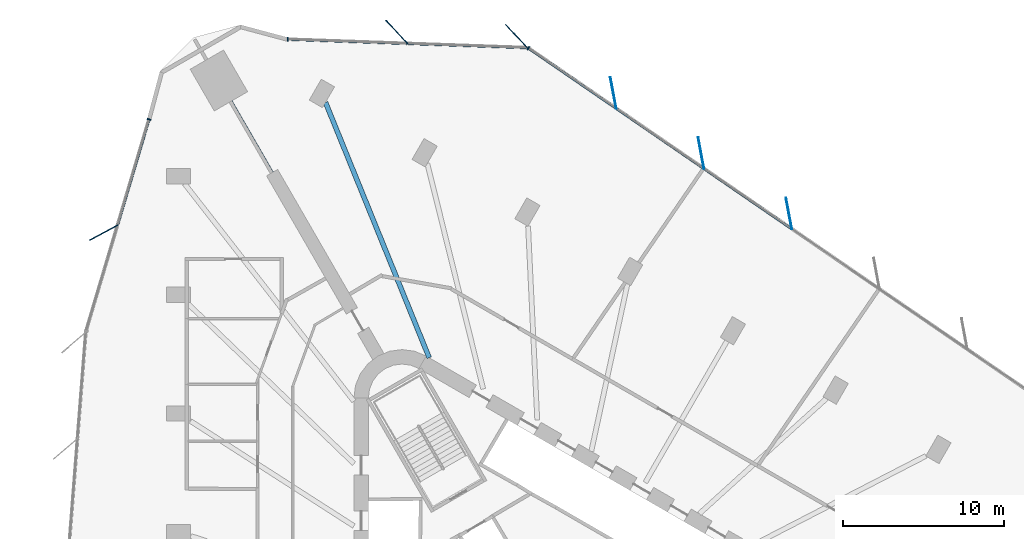
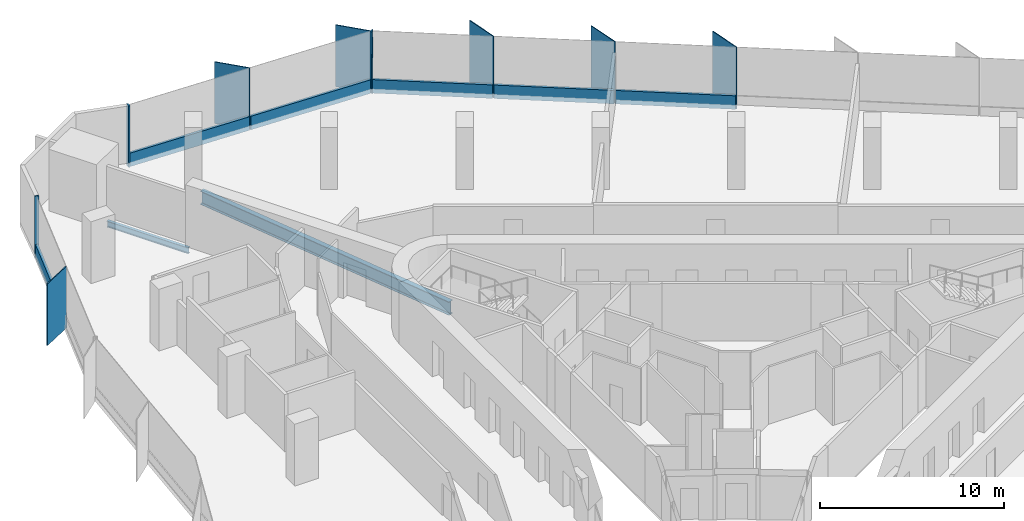
# One storey, part 7 of 15: 15 members, 2 beams, 3 elements without a shape of their own.
"""IFC4 building model written with IfcOpenShell, lengths in metres."""

import ifcopenshell
import ifcopenshell.guid

model = None  # the IFC model being written
_history = None  # IfcOwnerHistory: only IFC2X3 demands one
_inside = {}  # id of a spatial element -> (the spatial element, [elements in it])
_under = {}  # id of a project, library or spatial element -> (it, [spatial elements below it])
_declared = {}  # id of a project -> (the project, [libraries it declares])
_typed = {}  # id of a type object -> (the type object, [elements of that type])
_made_of = {}  # id of a material, layer set ... -> (it, [elements and type objects made of it])


def new_model(schema):
    """Start an empty IFC model of exactly this schema.

    Asked for "IFC4X3", IfcOpenShell would pick the latest addendum, in which some entities
    have other attributes; the version numbers below select the first issue.
    IFC2X3 requires an IfcOwnerHistory on every rooted entity: one is made here for all.
    """
    global model, _history
    if schema == "IFC4X3":
        model = ifcopenshell.file(schema_version=(4, 3, 0, 0))
    else:
        model = ifcopenshell.file(schema=schema)
    _inside.clear()
    _under.clear()
    _declared.clear()
    _typed.clear()
    _made_of.clear()
    _history = None
    if model.schema == "IFC2X3":
        org = make("IfcOrganization", Name="unknown")
        user = make(
            "IfcPersonAndOrganization",
            ThePerson=make("IfcPerson", FamilyName="unknown"),
            TheOrganization=org,
        )
        app = make(
            "IfcApplication",
            ApplicationDeveloper=org,
            Version="unknown",
            ApplicationFullName="unknown",
            ApplicationIdentifier="unknown",
        )
        _history = make(
            "IfcOwnerHistory",
            OwningUser=user,
            OwningApplication=app,
            ChangeAction="ADDED",
            CreationDate=0,
        )
    return model


def make(cls, **values):
    """One entity of the class cls with the attributes given. An attribute that is None is left unset."""
    return model.create_entity(
        cls, **{name: value for name, value in values.items() if value is not None}
    )


def rooted(cls, **values):
    """An entity with a GlobalId (a new one), such as an element, a storey or a relation."""
    return make(cls, GlobalId=ifcopenshell.guid.new(), OwnerHistory=_history, **values)


def si_unit(unit_type, name, prefix=None):
    """IfcSIUnit, for example si_unit("LENGTHUNIT", "METRE", prefix="MILLI")."""
    return make("IfcSIUnit", UnitType=unit_type, Prefix=prefix, Name=name)


def assignment(units):
    """IfcUnitAssignment: the units of a project."""
    return None if units is None else make("IfcUnitAssignment", Units=units)


def point(xyz):
    """IfcCartesianPoint."""
    return None if xyz is None else make("IfcCartesianPoint", Coordinates=xyz)


def direction(xyz):
    """IfcDirection."""
    return None if xyz is None else make("IfcDirection", DirectionRatios=xyz)


def frame(location, z_axis=None, x_axis=None):
    """IfcAxis2Placement3D, a coordinate frame: its origin and axes. An axis left out is left unset."""
    return make(
        "IfcAxis2Placement3D",
        Location=point(location),
        Axis=direction(z_axis),
        RefDirection=direction(x_axis),
    )


def frame_2d(location, x_axis=None):
    """IfcAxis2Placement2D, a coordinate frame in the plane: its origin and x axis."""
    return make(
        "IfcAxis2Placement2D", Location=point(location), RefDirection=direction(x_axis)
    )


def origin():
    """The frame at (0, 0, 0) with its axes left unset."""
    return frame((0.0, 0.0, 0.0))


def origin_2d():
    """The frame at (0, 0) in the plane with its x axis left unset."""
    return frame_2d((0.0, 0.0))


def place(relative_to, where):
    """IfcLocalPlacement: puts the frame where relative to a parent placement (None: the world)."""
    return make(
        "IfcLocalPlacement", PlacementRelTo=relative_to, RelativePlacement=where
    )


def context(
    kind, dimensions, precision=None, world=None, true_north=None, identifier=None
):
    """IfcGeometricRepresentationContext, for example the 3D "Model" context."""
    return make(
        "IfcGeometricRepresentationContext",
        ContextIdentifier=identifier,
        ContextType=kind,
        CoordinateSpaceDimension=dimensions,
        Precision=precision,
        WorldCoordinateSystem=world,
        TrueNorth=true_north,
    )


def subcontext(parent, identifier, kind, view, scale=None):
    """IfcGeometricRepresentationSubContext, for example "Body" below "Model"."""
    return make(
        "IfcGeometricRepresentationSubContext",
        ContextIdentifier=identifier,
        ContextType=kind,
        ParentContext=parent,
        TargetScale=scale,
        TargetView=view,
    )


def project(units=None, contexts=None):
    """IfcProject with its units and contexts."""
    return rooted(
        "IfcProject",
        Name="project",
        RepresentationContexts=contexts,
        UnitsInContext=assignment(units),
    )


def spatial(cls, under=None, at=None, **own):
    """A site, building, storey or space (cls), placed at a placement, below another one or the project."""
    s = rooted(cls, ObjectPlacement=at, **own)
    if under is not None:
        _under.setdefault(under.id(), (under, []))[1].append(s)
    return s


def profile(cls, at=None, kind="AREA", **sizes):
    """A parametric profile (cls). Its sizes go by their IFC names, for example OverallWidth=200.0."""
    return make(cls, ProfileType=kind, Position=at, **sizes)


def rectangle(**sizes):
    """IfcRectangleProfileDef."""
    return profile("IfcRectangleProfileDef", **sizes)


def i_section(**sizes):
    """IfcIShapeProfileDef."""
    return profile("IfcIShapeProfileDef", **sizes)


def extrude(swept, where, along, depth):
    """IfcExtrudedAreaSolid: the profile swept, set in the frame where, extruded along a direction by depth."""
    return make(
        "IfcExtrudedAreaSolid",
        SweptArea=swept,
        Position=where,
        ExtrudedDirection=direction(along),
        Depth=depth,
    )


def shape(context_of_items, identifier, shape_type, items):
    """IfcShapeRepresentation: the items that make up one representation, for example the "Body"."""
    return make(
        "IfcShapeRepresentation",
        ContextOfItems=context_of_items,
        RepresentationIdentifier=identifier,
        RepresentationType=shape_type,
        Items=items,
    )


def material(Name=None, Category=None):
    """IfcMaterial."""
    return make("IfcMaterial", Name=Name, Category=Category)


def material_profile(
    of_material, cross_section, Name=None, Category=None, Priority=None
):
    """IfcMaterialProfile: a cross section and its material."""
    return make(
        "IfcMaterialProfile",
        Name=Name,
        Material=of_material,
        Profile=cross_section,
        Priority=Priority,
        Category=Category,
    )


def profile_set(profiles, Name=None, composite=None):
    """IfcMaterialProfileSet."""
    return make(
        "IfcMaterialProfileSet",
        Name=Name,
        MaterialProfiles=profiles,
        CompositeProfile=composite,
    )


def made_of(thing, what):
    """Note that an element or type object is made of a material, layer set ...; save() writes the relation."""
    if what is not None:
        _made_of.setdefault(what.id(), (what, []))[1].append(thing)
    return thing


def type_object(cls, material=None, **own):
    """A type object (cls), such as IfcWallType, which elements share."""
    return made_of(rooted(cls, **own), material)


def element(
    cls,
    number,
    at=None,
    inside=None,
    cuts=None,
    type_object=None,
    material=None,
    context=None,
    identifier="Body",
    shape_type=None,
    held_by="IfcProductDefinitionShape",
    body=None,
    shapes=None,
    **own,
):
    """One element of the class cls, such as IfcWall. Its Tag is "e" and its number.

    at: its placement. inside: the storey or other place that contains it. cuts: it is an
    opening in that element (IfcRelVoidsElement). A single representation is given by context,
    identifier, shape_type and body (its items); several are given by shapes. held_by: the class
    of the entity that holds the representations. save() writes the other relations.
    """
    e = rooted(cls, Tag="e%d" % number, ObjectPlacement=at, **own)
    if body is not None:
        shapes = [shape(context, identifier, shape_type, body)]
    if shapes is not None:
        e.Representation = make(held_by, Representations=shapes)
    if inside is not None:
        _inside.setdefault(inside.id(), (inside, []))[1].append(e)
    if cuts is not None:
        rooted(
            "IfcRelVoidsElement", RelatingBuildingElement=cuts, RelatedOpeningElement=e
        )
    if type_object is not None:
        _typed.setdefault(type_object.id(), (type_object, []))[1].append(e)
    return made_of(e, material)


def aggregate(whole, parts):
    """IfcRelAggregates: a whole, such as a stair, and the parts it consists of."""
    return rooted("IfcRelAggregates", RelatingObject=whole, RelatedObjects=parts)


def save(model, path):
    """Write the relations noted so far, then the file.

    IfcRelAggregates (storeys below a building ...), IfcRelContainedInSpatialStructure (elements
    in a storey), IfcRelDefinesByType, IfcRelAssociatesMaterial and IfcRelDeclares: one each for
    every whole, place, type object, material and project.
    """
    for whole, parts in _under.values():
        aggregate(whole, parts)
    for where, things in _inside.values():
        rooted(
            "IfcRelContainedInSpatialStructure",
            RelatedElements=things,
            RelatingStructure=where,
        )
    for kind, things in _typed.values():
        rooted("IfcRelDefinesByType", RelatedObjects=things, RelatingType=kind)
    for what, things in _made_of.values():
        rooted("IfcRelAssociatesMaterial", RelatedObjects=things, RelatingMaterial=what)
    for by, libraries in _declared.values():
        rooted("IfcRelDeclares", RelatingContext=by, RelatedDefinitions=libraries)
    model.write(path)


model = new_model("IFC4")

# Units and contexts
model_context = context("Model", 3, precision=1e-05, world=origin(), true_north=direction((0.0, 1.0)))
body_context = subcontext(model_context, "Body", "Model", "MODEL_VIEW")
ifc_project = project(units=[si_unit("LENGTHUNIT", "METRE"), si_unit("AREAUNIT", "SQUARE_METRE"), si_unit("VOLUMEUNIT", "CUBIC_METRE"), si_unit("PLANEANGLEUNIT", "RADIAN"), si_unit("MASSUNIT", "GRAM", prefix="KILO")], contexts=[model_context])

# Site, building, storey
site_placement = place(None, origin())
site = spatial("IfcSite", under=ifc_project, at=site_placement, CompositionType="ELEMENT")
building_placement = place(site_placement, origin())
building = spatial("IfcBuilding", under=site, at=building_placement, Name="Tanit Gate Tower", CompositionType="ELEMENT")
storey_placement = place(building_placement, frame((0.0, 0.0, 102.89990234375)))
storey = spatial("IfcBuildingStorey", under=building, at=storey_placement, Name="L21", CompositionType="ELEMENT", Elevation=102.89990234375)

# Curtain wall, members
ifc_material_1 = material(Name="Aluminium bronze anodised and glass", Category="aluminium")
curtain_wall_type = type_object("IfcCurtainWallType", Name="Curtain wall typical low", PredefinedType="NOTDEFINED", material=ifc_material_1)
curtain_wall_1_placement = place(storey_placement, origin())
curtain_wall_1 = element("IfcCurtainWall", 1, at=curtain_wall_1_placement, inside=storey, type_object=curtain_wall_type, Name="Curtain wall L21 NE2", PredefinedType="NOTDEFINED")
ifc_material_2 = material(Name="Aluminium bronze anodised", Category="aluminium")
ifc_material_profile_1 = material_profile(ifc_material_2, rectangle(XDim=2.0, YDim=0.055908203125, at=origin_2d()), Name="56x2000 bronze fin mullion")
ifc_profile_set_1 = profile_set([ifc_material_profile_1], Name="Aluminium bronze anodised")
member_type_1 = type_object("IfcMemberType", Name="FIN MULLION 56x2000 bronze", PredefinedType="MULLION", material=ifc_profile_set_1)
member_1_placement = place(storey_placement, frame((14.99658203125, 27.24169921875, -0.2998046875), z_axis=(0.0, 0.0, 1.0), x_axis=(0.182847499991, -0.983141287785, 0.0)))
member_1 = element("IfcMember", 2, at=member_1_placement, type_object=member_type_1, Name="Fin mullion L21 NE2.4", PredefinedType="MULLION", context=body_context, shape_type="SweptSolid", body=[
    extrude(rectangle(XDim=2.0, YDim=0.055908203125, at=origin_2d()), origin(), (0.0, 0.0, 1.0), 4.099853515625),
])
member_2_placement = place(storey_placement, frame((9.527099609375, 30.99560546875, -0.2998046875), z_axis=(0.0, 0.0, 1.0), x_axis=(0.182847499991, -0.983141287785, 0.0)))
member_2 = element("IfcMember", 3, at=member_2_placement, type_object=member_type_1, Name="Fin mullion L21 NE2.5", PredefinedType="MULLION", context=body_context, shape_type="SweptSolid", body=[
    extrude(rectangle(XDim=2.0, YDim=0.055908203125, at=origin_2d()), origin(), (0.0, 0.0, 1.0), 4.099853515625),
])
member_3_placement = place(storey_placement, frame((4.057861328125, 34.74951171875, -0.2998046875), z_axis=(0.0, 0.0, 1.0), x_axis=(0.182847499991, -0.983141287785, 0.0)))
member_3 = element("IfcMember", 4, at=member_3_placement, type_object=member_type_1, Name="Fin mullion L21 NE2.6", PredefinedType="MULLION", context=body_context, shape_type="SweptSolid", body=[
    extrude(rectangle(XDim=2.0, YDim=0.055908203125, at=origin_2d()), origin(), (0.0, 0.0, 1.0), 4.099853515625),
])

curtain_wall_2_placement = place(storey_placement, origin())
curtain_wall_2 = element("IfcCurtainWall", 5, at=curtain_wall_2_placement, inside=storey, type_object=curtain_wall_type, Name="Curtain wall L21 NE3", PredefinedType="NOTDEFINED")
member_4_placement = place(storey_placement, frame((-1.97216796875, 38.281494140625, -0.2998046875), z_axis=(0.0, 0.0, 1.0), x_axis=(0.681935524465, -0.731412291715, 0.0)))
member_4 = element("IfcMember", 6, at=member_4_placement, type_object=member_type_1, Name="Fin mullion L21 NE3.1", PredefinedType="MULLION", context=body_context, shape_type="SweptSolid", body=[
    extrude(rectangle(XDim=2.0, YDim=0.055908203125, at=origin_2d()), origin(), (0.0, 0.0, 1.0), 4.099853515625),
])
member_5_placement = place(storey_placement, frame((-9.430908203125, 38.54248046875, -0.2998046875), z_axis=(0.0, 0.0, 1.0), x_axis=(0.681935524465, -0.731412291715, 0.0)))
member_5 = element("IfcMember", 7, at=member_5_placement, type_object=member_type_1, Name="Fin mullion L21 NE3.2", PredefinedType="MULLION", context=body_context, shape_type="SweptSolid", body=[
    extrude(rectangle(XDim=2.0, YDim=0.055908203125, at=origin_2d()), origin(), (0.0, 0.0, 1.0), 4.099853515625),
])

# Curtain wall, member
curtain_wall_3_placement = place(storey_placement, origin())
curtain_wall_3 = element("IfcCurtainWall", 8, at=curtain_wall_3_placement, inside=storey, type_object=curtain_wall_type, Name="Curtain wall L21 W1", PredefinedType="NOTDEFINED")
member_6_placement = place(storey_placement, frame((-27.683349609375, 26.046142578125, -0.2998046875), z_axis=(0.0, 0.0, 1.0), x_axis=(0.879325041562, 0.476222081893, 0.0)))
member_6 = element("IfcMember", 9, at=member_6_placement, type_object=member_type_1, Name="Fin mullion L21 W1.2", PredefinedType="MULLION", context=body_context, shape_type="SweptSolid", body=[
    extrude(rectangle(XDim=2.0, YDim=0.055908203125, at=origin_2d()), origin(), (0.0, 0.0, 1.0), 4.099853515625),
])

# Member
ifc_material_3 = material(Name="Aluminium bronze anodised", Category="aluminium")
ifc_material_profile_2 = material_profile(ifc_material_3, rectangle(XDim=0.239990234375, YDim=0.080078125, at=origin_2d()), Name="80x240 bronze mullion")
ifc_profile_set_2 = profile_set([ifc_material_profile_2], Name="Aluminium bronze anodised")
member_type_2 = type_object("IfcMemberType", Name="Mullion 80x240 typical low", PredefinedType="MULLION", material=ifc_profile_set_2)
member_7_placement = place(storey_placement, frame((-1.232666015625, 37.54248046875, -0.2998046875), z_axis=(0.0, 0.0, 1.0), x_axis=(-0.56589316429, -0.824478578624, 0.0)))
member_7 = element("IfcMember", 10, at=member_7_placement, type_object=member_type_2, Name="Mullion L21 NE2.7", PredefinedType="MULLION", context=body_context, shape_type="SweptSolid", body=[
    extrude(rectangle(XDim=0.239990234375, YDim=0.080078125, at=origin_2d()), origin(), (0.0, 0.0, 1.0), 4.099853515625),
])

member_8_placement = place(storey_placement, frame((-16.22314453125, 38.0888671875, -0.2998046875), z_axis=(0.0, 0.0, 1.0), x_axis=(-0.034985357634, -0.999387824997, 0.0)))
member_8 = element("IfcMember", 11, at=member_8_placement, type_object=member_type_2, Name="Mullion L21 NE3.3", PredefinedType="MULLION", context=body_context, shape_type="SweptSolid", body=[
    extrude(rectangle(XDim=0.239990234375, YDim=0.080078125, at=origin_2d()), origin(), (0.0, 0.0, 1.0), 4.099853515625),
])

member_9_placement = place(storey_placement, frame((-24.86376953125, 33.1025390625, -0.2998046875), z_axis=(0.0, 0.0, 1.0), x_axis=(0.958516563213, -0.285036836298, 0.0)))
member_9 = element("IfcMember", 12, at=member_9_placement, type_object=member_type_2, Name="Mullion L21 W1.1", PredefinedType="MULLION", context=body_context, shape_type="SweptSolid", body=[
    extrude(rectangle(XDim=0.239990234375, YDim=0.080078125, at=origin_2d()), origin(), (0.0, 0.0, 1.0), 4.099853515625),
])

# Beams
ifc_material_4 = material(Name="Steel S355", Category="steel")
ifc_material_profile_3 = material_profile(ifc_material_4, i_section(OverallWidth=0.300048828125, OverallDepth=0.889892578125, WebThickness=0.01611328125, FlangeThickness=0.030029296875, FilletRadius=0.030029296875, at=origin_2d()), Name="HEA 900")
ifc_profile_set_3 = profile_set([ifc_material_profile_3], Name="Steel S355")
beam_type_1 = type_object("IfcBeamType", Name="RADIAL GIRDER HEA 900 S355", PredefinedType="BEAM", material=ifc_profile_set_3)
beam_1_placement = place(storey_placement, frame((-13.869384765625, 34.1591796875, -0.744873046875), z_axis=(0.376193939904, -0.926540943283, 0.0), x_axis=(0.926540943283, 0.376193939904, 0.0)))
element("IfcBeam", 13, at=beam_1_placement, inside=storey, type_object=beam_type_1, Name="RADIAL GIRDER", PredefinedType="BEAM", context=body_context, shape_type="SweptSolid", body=[
    extrude(i_section(OverallWidth=0.300048828125, OverallDepth=0.889892578125, WebThickness=0.01611328125, FlangeThickness=0.030029296875, FilletRadius=0.030029296875, at=origin_2d()), origin(), (0.0, 0.0, 1.0), 17.167236328125),
])
ifc_material_5 = material(Name="Steel S355", Category="steel")
ifc_material_profile_4 = material_profile(ifc_material_5, i_section(OverallWidth=0.179931640625, OverallDepth=0.39990234375, WebThickness=0.008544921875, FlangeThickness=0.013427734375, FilletRadius=0.02099609375, at=origin_2d()), Name="IPE 400")
ifc_profile_set_4 = profile_set([ifc_material_profile_4], Name="Steel S355")
beam_type_2 = type_object("IfcBeamType", Name="RADIAL GIRDER IPE 400 S355", PredefinedType="BEAM", material=ifc_profile_set_4)
beam_2_placement = place(storey_placement, frame((-19.760498046875, 34.22607421875, -0.5), z_axis=(0.499998470576, -0.866026286796, 0.0), x_axis=(0.866026286796, 0.499998470576, 0.0)))
element("IfcBeam", 14, at=beam_2_placement, inside=storey, type_object=beam_type_2, Name="RADIAL GIRDER", PredefinedType="BEAM", context=body_context, shape_type="SweptSolid", body=[
    extrude(i_section(OverallWidth=0.179931640625, OverallDepth=0.39990234375, WebThickness=0.008544921875, FlangeThickness=0.013427734375, FilletRadius=0.02099609375, at=origin_2d()), origin(), (0.0, 0.0, 1.0), 5.1298828125),
])

# Member
ifc_material_6 = material(Name="Aluminium bronze anodised", Category="aluminium")
ifc_material_profile_5 = material_profile(ifc_material_6, rectangle(XDim=0.159912109375, YDim=0.89990234375, at=origin_2d()), Name="160x900 bronze transom")
ifc_profile_set_5 = profile_set([ifc_material_profile_5], Name="Aluminium bronze anodised")
member_type_3 = type_object("IfcMemberType", Name="Transom 160x900 typical low", PredefinedType="USERDEFINED", material=ifc_profile_set_5)
member_10_placement = place(storey_placement, frame((15.142333984375, 26.303466796875, 0.150146484375), z_axis=(-0.824484045069, 0.565885199866, 0.0), x_axis=(-0.565885199866, -0.824484045069, 0.0)))
member_10 = element("IfcMember", 15, at=member_10_placement, type_object=member_type_3, Name="Transom L21 NE2.4", ObjectType="TRANSOM", PredefinedType="USERDEFINED", context=body_context, shape_type="SweptSolid", body=[
    extrude(rectangle(XDim=0.159912109375, YDim=0.89990234375, at=origin_2d()), origin(), (0.0, 0.0, 1.0), 6.553955078125),
])

member_11_placement = place(storey_placement, frame((9.6728515625, 30.057373046875, 0.150146484375), z_axis=(-0.824472115667, 0.565902580386, 0.0), x_axis=(-0.565902580386, -0.824472115667, 0.0)))
member_11 = element("IfcMember", 16, at=member_11_placement, type_object=member_type_3, Name="Transom L21 NE2.5", ObjectType="TRANSOM", PredefinedType="USERDEFINED", context=body_context, shape_type="SweptSolid", body=[
    extrude(rectangle(XDim=0.159912109375, YDim=0.89990234375, at=origin_2d()), origin(), (0.0, 0.0, 1.0), 6.5537109375),
])

member_12_placement = place(storey_placement, frame((4.20361328125, 33.811279296875, 0.150146484375), z_axis=(-0.824472115667, 0.565902580386, 0.0), x_axis=(-0.565902580386, -0.824472115667, 0.0)))
member_12 = element("IfcMember", 17, at=member_12_placement, type_object=member_type_3, Name="Transom L21 NE2.6", ObjectType="TRANSOM", PredefinedType="USERDEFINED", context=body_context, shape_type="SweptSolid", body=[
    extrude(rectangle(XDim=0.159912109375, YDim=0.89990234375, at=origin_2d()), origin(), (0.0, 0.0, 1.0), 6.5537109375),
])

aggregate(curtain_wall_1, [member_1, member_2, member_3, member_7, member_10, member_11, member_12])

member_13_placement = place(storey_placement, frame((-1.345703125, 37.568115234375, 0.150146484375), z_axis=(-0.999387836733, 0.034985022376, 0.0), x_axis=(-0.034985022376, -0.999387836733, 0.0)))
member_13 = element("IfcMember", 18, at=member_13_placement, type_object=member_type_3, Name="Transom L21 NE3.1", ObjectType="TRANSOM", PredefinedType="USERDEFINED", context=body_context, shape_type="SweptSolid", body=[
    extrude(rectangle(XDim=0.159912109375, YDim=0.89990234375, at=origin_2d()), origin(), (0.0, 0.0, 1.0), 7.38330078125),
])

member_14_placement = place(storey_placement, frame((-8.804443359375, 37.8291015625, 0.150146484375), z_axis=(-0.999387836733, 0.034985022376, 0.0), x_axis=(-0.034985022376, -0.999387836733, 0.0)))
member_14 = element("IfcMember", 19, at=member_14_placement, type_object=member_type_3, Name="Transom L21 NE3.2", ObjectType="TRANSOM", PredefinedType="USERDEFINED", context=body_context, shape_type="SweptSolid", body=[
    extrude(rectangle(XDim=0.159912109375, YDim=0.89990234375, at=origin_2d()), origin(), (0.0, 0.0, 1.0), 7.38330078125),
])

aggregate(curtain_wall_2, [member_4, member_5, member_8, member_13, member_14])

member_15_placement = place(storey_placement, frame((-24.875244140625, 33.064208984375, 0.150146484375), z_axis=(-0.285053228676, -0.958511688411, 0.0), x_axis=(0.958511688411, -0.285053228676, 0.0)))
member_15 = element("IfcMember", 20, at=member_15_placement, type_object=member_type_3, Name="Transom L21 W1.1", ObjectType="TRANSOM", PredefinedType="USERDEFINED", context=body_context, shape_type="SweptSolid", body=[
    extrude(rectangle(XDim=0.159912109375, YDim=0.89990234375, at=origin_2d()), origin(), (0.0, 0.0, 1.0), 6.796142578125),
])

aggregate(curtain_wall_3, [member_9, member_6, member_15])

save(model, "model.ifc")
